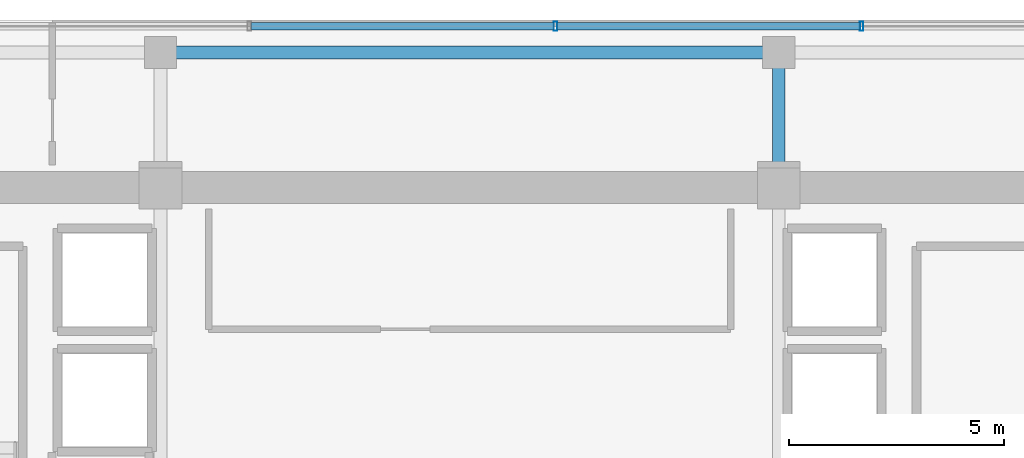
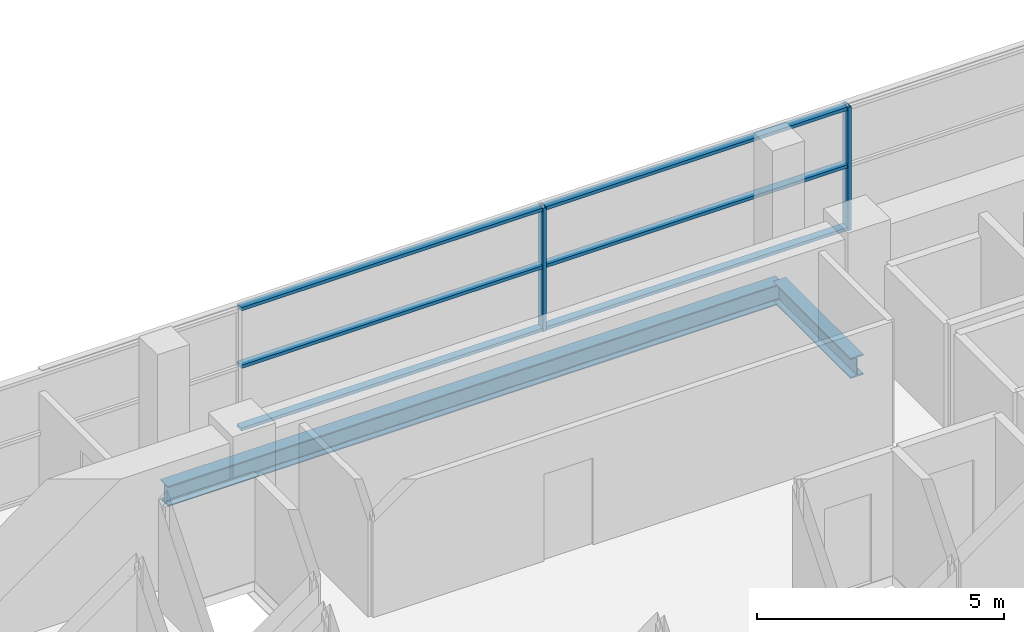
# One storey, part 11 of 21: 8 members, 2 beams, 1 element without a shape of its own.
"""IFC4 building model written with IfcOpenShell, lengths in metres."""

from ifc_helpers import new_model, si_unit, direction, frame, origin, origin_2d, place, context, subcontext, project, spatial, hollow_rectangle, i_section, extrude, source, transform, mapped, material, layer, layer_set, material_profile, profile_set, type_object, element, aggregate, save


model = new_model("IFC4")

# Units and contexts
model_context = context("Model", 3, precision=1e-05, world=origin(), true_north=direction((0.0, 1.0)))
body_context = subcontext(model_context, "Body", "Model", "MODEL_VIEW")
ifc_project = project(units=[si_unit("LENGTHUNIT", "METRE"), si_unit("AREAUNIT", "SQUARE_METRE"), si_unit("VOLUMEUNIT", "CUBIC_METRE"), si_unit("PLANEANGLEUNIT", "RADIAN"), si_unit("MASSUNIT", "GRAM", prefix="KILO")], contexts=[model_context])

# Site, building, storey
site_placement = place(None, origin())
site = spatial("IfcSite", under=ifc_project, at=site_placement, CompositionType="ELEMENT")
building_placement = place(site_placement, origin())
building = spatial("IfcBuilding", under=site, at=building_placement, Name="Zarnakvel Exchange Tower", CompositionType="ELEMENT")
storey_placement = place(building_placement, frame((0.0, 0.0, 182.5)))
storey = spatial("IfcBuildingStorey", under=building, at=storey_placement, Name="L51", CompositionType="ELEMENT", Elevation=182.5)

# Beams
ifc_material_1 = material(Name="Steel S355", Category="steel")
ifc_material_profile_1 = material_profile(ifc_material_1, i_section(OverallWidth=0.300048828125, OverallDepth=0.5, WebThickness=0.014404296875, FlangeThickness=0.028076171875, FilletRadius=0.027099609375, at=origin_2d()))
ifc_profile_set_1 = profile_set([ifc_material_profile_1], Name="Steel S355")
beam_type_1 = type_object("IfcBeamType", Name="G-06", PredefinedType="BEAM", material=ifc_profile_set_1)
beam_1_placement = place(storey_placement, frame((7.199951171875, 13.5, -0.47509765625), z_axis=(0.0, 1.0, 0.0), x_axis=(-1.0, 0.0, 0.0)))
element("IfcBeam", 1, at=beam_1_placement, inside=storey, type_object=beam_type_1, Name="L51 Tower N-S Frame Beam", PredefinedType="BEAM", context=body_context, shape_type="SweptSolid", body=[
    extrude(i_section(OverallWidth=0.300048828125, OverallDepth=0.5, WebThickness=0.014404296875, FlangeThickness=0.028076171875, FilletRadius=0.027099609375, at=origin_2d()), origin(), (0.0, 0.0, 1.0), 3.14990234375),
])
ifc_material_profile_2 = material_profile(ifc_material_1, i_section(OverallWidth=0.300048828125, OverallDepth=0.5, WebThickness=0.014404296875, FlangeThickness=0.028076171875, FilletRadius=0.027099609375, at=origin_2d()))
ifc_profile_set_2 = profile_set([ifc_material_profile_2], Name="Steel S355")
beam_type_2 = type_object("IfcBeamType", Name="SP-02", PredefinedType="SPANDREL", material=ifc_profile_set_2)
beam_2_placement = place(storey_placement, frame((-7.199951171875, 16.64990234375, -0.47509765625), z_axis=(1.0, 0.0, 0.0), x_axis=(0.0, 1.0, 0.0)))
element("IfcBeam", 2, at=beam_2_placement, inside=storey, type_object=beam_type_2, Name="L51 Tower E-W Frame Beam", PredefinedType="SPANDREL", context=body_context, shape_type="SweptSolid", body=[
    extrude(i_section(OverallWidth=0.300048828125, OverallDepth=0.5, WebThickness=0.014404296875, FlangeThickness=0.028076171875, FilletRadius=0.027099609375, at=origin_2d()), origin(), (0.0, 0.0, 1.0), 14.39990234375),
])

# Curtain wall, members
ifc_material_2 = material(Name="Architectural Bronze Anodised Aluminium", Category="aluminium")
ifc_layer = layer(ifc_material_2, 0.219970703125)
ifc_layer_set = layer_set([ifc_layer], Name="Architectural Bronze Anodised Aluminium")
curtain_wall_type = type_object("IfcCurtainWallType", Name="CW-03", PredefinedType="NOTDEFINED", material=ifc_layer_set)
curtain_wall_placement = place(storey_placement, origin())
curtain_wall = element("IfcCurtainWall", 3, at=curtain_wall_placement, inside=storey, type_object=curtain_wall_type, Name="L51 Curtain Wall CW-L51-N1 (CW-03)", PredefinedType="NOTDEFINED")
ifc_material_profile_3 = material_profile(ifc_material_2, hollow_rectangle(XDim=0.219970703125, YDim=0.080078125, WallThickness=0.0048828125, at=origin_2d()))
ifc_profile_set_3 = profile_set([ifc_material_profile_3], Name="Architectural Bronze Anodised Aluminium")
member_type_1 = type_object("IfcMemberType", Name="CWM-03", PredefinedType="MULLION", material=ifc_profile_set_3)
shared_shape_1 = source(origin(), body_context, "Body", "SweptSolid", [
    extrude(hollow_rectangle(XDim=0.219970703125, YDim=0.080078125, WallThickness=0.0048828125, at=origin_2d()), origin(), (0.0, 0.0, 1.0), 3.054931640625),
])
member_1_placement = place(storey_placement, frame((2.0, 17.260009765625, 0.0), z_axis=(0.0, 0.0, 1.0), x_axis=(0.0, 1.0, 0.0)))
member_1 = element("IfcMember", 4, at=member_1_placement, type_object=member_type_1, Name="CW-03 mullion 4", PredefinedType="MULLION", context=body_context, shape_type="MappedRepresentation", body=[
    mapped(shared_shape_1, transform((0.0, 0.0, 0.0), x_axis=(1.0, 0.0, 0.0), y_axis=(0.0, 1.0, 0.0), z_axis=(0.0, 0.0, 1.0), scale=1.0)),
])
member_2_placement = place(storey_placement, frame((9.13330078125, 17.260009765625, 0.0), z_axis=(0.0, 0.0, 1.0), x_axis=(0.0, 1.0, 0.0)))
member_2 = element("IfcMember", 5, at=member_2_placement, type_object=member_type_1, Name="CW-03 mullion 5", PredefinedType="MULLION", context=body_context, shape_type="MappedRepresentation", body=[
    mapped(shared_shape_1, transform((0.0, 0.0, 0.0), x_axis=(1.0, 0.0, 0.0), y_axis=(0.0, 1.0, 0.0), z_axis=(0.0, 0.0, 1.0), scale=1.0)),
])
ifc_material_profile_4 = material_profile(ifc_material_2, hollow_rectangle(XDim=0.179931640625, YDim=0.080078125, WallThickness=0.00390625, at=origin_2d()))
ifc_profile_set_4 = profile_set([ifc_material_profile_4], Name="Architectural Bronze Anodised Aluminium")
member_type_2 = type_object("IfcMemberType", Name="CWT-03", PredefinedType="USERDEFINED", material=ifc_profile_set_4)
shared_shape_2 = source(origin(), body_context, "Body", "SweptSolid", [
    extrude(hollow_rectangle(XDim=0.179931640625, YDim=0.080078125, WallThickness=0.00390625, at=origin_2d()), origin(), (0.0, 0.0, 1.0), 7.05322265625),
])
member_3_placement = place(storey_placement, frame((-5.09326171875, 17.260009765625, 0.0400390625), z_axis=(1.0, 0.0, 0.0), x_axis=(0.0, 1.0, 0.0)))
member_3 = element("IfcMember", 6, at=member_3_placement, type_object=member_type_2, Name="CW-03 transom 3.1", ObjectType="TRANSOM", PredefinedType="USERDEFINED", context=body_context, shape_type="MappedRepresentation", body=[
    mapped(shared_shape_2, transform((0.0, 0.0, 0.0), x_axis=(1.0, 0.0, 0.0), y_axis=(0.0, 1.0, 0.0), z_axis=(0.0, 0.0, 1.0), scale=1.0)),
])
member_4_placement = place(storey_placement, frame((-5.09326171875, 17.260009765625, 1.588623046875), z_axis=(1.0, 0.0, 0.0), x_axis=(0.0, 1.0, 0.0)))
member_4 = element("IfcMember", 7, at=member_4_placement, type_object=member_type_2, Name="CW-03 transom 3.2", ObjectType="TRANSOM", PredefinedType="USERDEFINED", context=body_context, shape_type="MappedRepresentation", body=[
    mapped(shared_shape_2, transform((0.0, 0.0, 0.0), x_axis=(1.0, 0.0, 0.0), y_axis=(0.0, 1.0, 0.0), z_axis=(0.0, 0.0, 1.0), scale=1.0)),
])
member_5_placement = place(storey_placement, frame((-5.09326171875, 17.260009765625, 3.014892578125), z_axis=(1.0, 0.0, 0.0), x_axis=(0.0, 1.0, 0.0)))
member_5 = element("IfcMember", 8, at=member_5_placement, type_object=member_type_2, Name="CW-03 transom 3.3", ObjectType="TRANSOM", PredefinedType="USERDEFINED", context=body_context, shape_type="MappedRepresentation", body=[
    mapped(shared_shape_2, transform((0.0, 0.0, 0.0), x_axis=(1.0, 0.0, 0.0), y_axis=(0.0, 1.0, 0.0), z_axis=(0.0, 0.0, 1.0), scale=1.0)),
])
member_6_placement = place(storey_placement, frame((2.0400390625, 17.260009765625, 0.0400390625), z_axis=(1.0, 0.0, 0.0), x_axis=(0.0, 1.0, 0.0)))
member_6 = element("IfcMember", 9, at=member_6_placement, type_object=member_type_2, Name="CW-03 transom 4.1", ObjectType="TRANSOM", PredefinedType="USERDEFINED", context=body_context, shape_type="MappedRepresentation", body=[
    mapped(shared_shape_2, transform((0.0, 0.0, 0.0), x_axis=(1.0, 0.0, 0.0), y_axis=(0.0, 1.0, 0.0), z_axis=(0.0, 0.0, 1.0), scale=1.0)),
])
member_7_placement = place(storey_placement, frame((2.0400390625, 17.260009765625, 1.588623046875), z_axis=(1.0, 0.0, 0.0), x_axis=(0.0, 1.0, 0.0)))
member_7 = element("IfcMember", 10, at=member_7_placement, type_object=member_type_2, Name="CW-03 transom 4.2", ObjectType="TRANSOM", PredefinedType="USERDEFINED", context=body_context, shape_type="MappedRepresentation", body=[
    mapped(shared_shape_2, transform((0.0, 0.0, 0.0), x_axis=(1.0, 0.0, 0.0), y_axis=(0.0, 1.0, 0.0), z_axis=(0.0, 0.0, 1.0), scale=1.0)),
])
member_8_placement = place(storey_placement, frame((2.0400390625, 17.260009765625, 3.014892578125), z_axis=(1.0, 0.0, 0.0), x_axis=(0.0, 1.0, 0.0)))
member_8 = element("IfcMember", 11, at=member_8_placement, type_object=member_type_2, Name="CW-03 transom 4.3", ObjectType="TRANSOM", PredefinedType="USERDEFINED", context=body_context, shape_type="MappedRepresentation", body=[
    mapped(shared_shape_2, transform((0.0, 0.0, 0.0), x_axis=(1.0, 0.0, 0.0), y_axis=(0.0, 1.0, 0.0), z_axis=(0.0, 0.0, 1.0), scale=1.0)),
])
aggregate(curtain_wall, [member_1, member_2, member_3, member_4, member_5, member_6, member_7, member_8])

save(model, "model.ifc")
